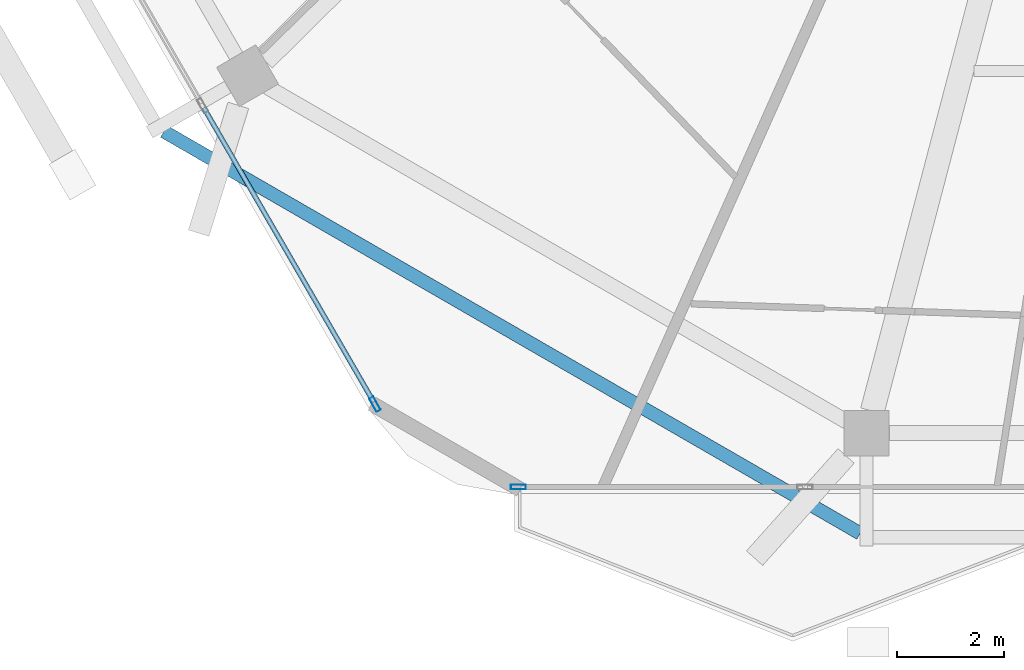
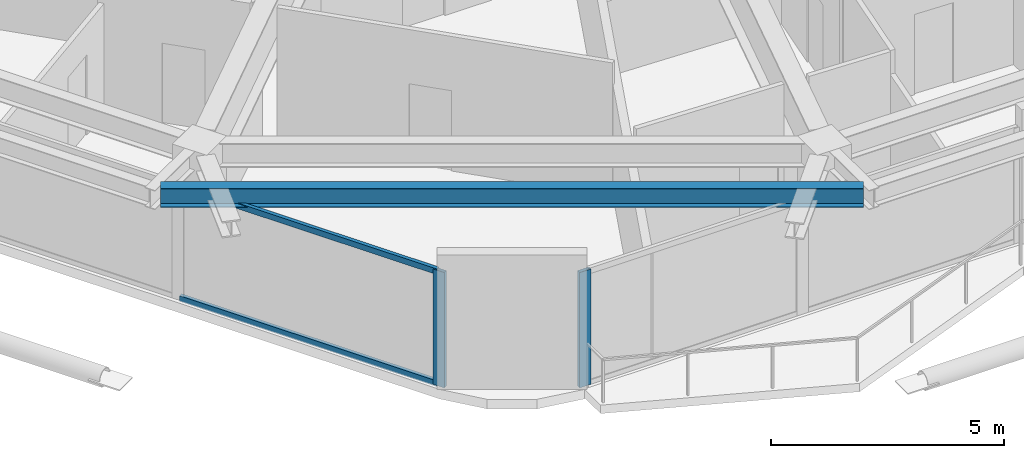
# One storey, part 2 of 26: 4 members, 1 beam, 2 elements without a shape of their own.
"""IFC4 building model written with IfcOpenShell, lengths in metres."""

from ifc_helpers import new_model, si_unit, direction, frame, origin, origin_2d, place, context, subcontext, project, spatial, hollow_rectangle, i_section, extrude, material, material_profile, profile_set, type_object, element, aggregate, save


model = new_model("IFC4")

# Units and contexts
model_context = context("Model", 3, precision=1e-05, world=origin(), true_north=direction((0.0, 1.0)))
body_context = subcontext(model_context, "Body", "Model", "MODEL_VIEW")
ifc_project = project(units=[si_unit("LENGTHUNIT", "METRE"), si_unit("AREAUNIT", "SQUARE_METRE"), si_unit("VOLUMEUNIT", "CUBIC_METRE"), si_unit("PLANEANGLEUNIT", "RADIAN"), si_unit("MASSUNIT", "GRAM", prefix="KILO")], contexts=[model_context])

# Site, building, storey
site_placement = place(None, origin())
site = spatial("IfcSite", under=ifc_project, at=site_placement, CompositionType="ELEMENT")
building_placement = place(site_placement, origin())
building = spatial("IfcBuilding", under=site, at=building_placement, Name="Zuhravey Tower", CompositionType="ELEMENT")
storey_placement = place(building_placement, frame((0.0, 0.0, 299.60009765625)))
storey = spatial("IfcBuildingStorey", under=building, at=storey_placement, Name="L76", CompositionType="ELEMENT", Elevation=299.60009765625)

# Curtain wall, member
ifc_material_1 = material(Name="Thermally broken anodised aluminium", Category="aluminium")
curtain_wall_type = type_object("IfcCurtainWallType", Name="Zone 3-4 High-Rise Curtain Wall CW4", PredefinedType="NOTDEFINED", material=ifc_material_1)
curtain_wall_1_placement = place(storey_placement, origin())
curtain_wall_1 = element("IfcCurtainWall", 1, at=curtain_wall_1_placement, inside=storey, type_object=curtain_wall_type, Name="L76 CW4 CW-L76-F5-2", PredefinedType="NOTDEFINED")
ifc_material_2 = material(Name="Anodised aluminium", Category="aluminium")
ifc_material_profile_1 = material_profile(ifc_material_2, hollow_rectangle(XDim=0.090087890625, YDim=0.284912109375, WallThickness=0.0048828125, at=origin_2d()), Name="ALU-RHS-90x285x5")
ifc_profile_set_1 = profile_set([ifc_material_profile_1], Name="Anodised aluminium")
member_type_1 = type_object("IfcMemberType", Name="Curtain-Wall Mullion 90x180", PredefinedType="MULLION", material=ifc_profile_set_1)
member_1_placement = place(storey_placement, frame((23.0322265625, 6.436279296875, 0.0), z_axis=(0.0, 0.0, 1.0), x_axis=(0.0, -1.0, 0.0)))
member_1 = element("IfcMember", 2, at=member_1_placement, type_object=member_type_1, Name="CW4 mullion 3", PredefinedType="MULLION", context=body_context, shape_type="SweptSolid", body=[
    extrude(hollow_rectangle(XDim=0.090087890625, YDim=0.284912109375, WallThickness=0.0048828125, at=origin_2d()), origin(), (0.0, 0.0, 1.0), 3.02001953125),
])
aggregate(curtain_wall_1, [member_1])

# Curtain wall, members
curtain_wall_2_placement = place(storey_placement, origin())
curtain_wall_2 = element("IfcCurtainWall", 3, at=curtain_wall_2_placement, inside=storey, type_object=curtain_wall_type, Name="L76 CW4 CW-L76-F4-1", PredefinedType="NOTDEFINED")
member_2_placement = place(storey_placement, frame((20.34521484375, 7.98779296875, 0.0), z_axis=(0.0, 0.0, 1.0), x_axis=(-0.866024851021, -0.500000957414, 0.0)))
member_2 = element("IfcMember", 4, at=member_2_placement, type_object=member_type_1, Name="CW4 mullion 1", PredefinedType="MULLION", context=body_context, shape_type="SweptSolid", body=[
    extrude(hollow_rectangle(XDim=0.090087890625, YDim=0.284912109375, WallThickness=0.0048828125, at=origin_2d()), origin(), (0.0, 0.0, 1.0), 3.02001953125),
])
ifc_material_profile_2 = material_profile(ifc_material_2, hollow_rectangle(XDim=0.090087890625, YDim=0.14990234375, WallThickness=0.0048828125, at=origin_2d()), Name="ALU-RHS-90x150x5")
ifc_profile_set_2 = profile_set([ifc_material_profile_2], Name="Anodised aluminium")
member_type_2 = type_object("IfcMemberType", Name="Curtain-Wall Transom 90x150", PredefinedType="USERDEFINED", material=ifc_profile_set_2)
member_3_placement = place(storey_placement, frame((20.322509765625, 8.02685546875, 0.044921875), z_axis=(-0.499980071345, 0.866036909293, 0.0), x_axis=(-0.866036909293, -0.499980071345, 0.0)))
member_3 = element("IfcMember", 5, at=member_3_placement, type_object=member_type_2, Name="CW4 transom 1.1", ObjectType="TRANSOM", PredefinedType="USERDEFINED", context=body_context, shape_type="SweptSolid", body=[
    extrude(hollow_rectangle(XDim=0.090087890625, YDim=0.14990234375, WallThickness=0.0048828125, at=origin_2d()), origin(), (0.0, 0.0, 1.0), 6.371337890625),
])
member_4_placement = place(storey_placement, frame((20.322509765625, 8.02685546875, 2.974853515625), z_axis=(-0.499980071345, 0.866036909293, 0.0), x_axis=(-0.866036909293, -0.499980071345, 0.0)))
member_4 = element("IfcMember", 6, at=member_4_placement, type_object=member_type_2, Name="CW4 transom 1.2", ObjectType="TRANSOM", PredefinedType="USERDEFINED", context=body_context, shape_type="SweptSolid", body=[
    extrude(hollow_rectangle(XDim=0.090087890625, YDim=0.14990234375, WallThickness=0.0048828125, at=origin_2d()), origin(), (0.0, 0.0, 1.0), 6.371337890625),
])
aggregate(curtain_wall_2, [member_2, member_3, member_4])

# Beam
ifc_material_3 = material(Name="Steel SM355", Category="steel")
ifc_material_profile_3 = material_profile(ifc_material_3, i_section(OverallWidth=0.25, OverallDepth=0.5, WebThickness=0.010009765625, FlangeThickness=0.01611328125, at=origin_2d()), Name="H-500x250x10x16")
ifc_profile_set_3 = profile_set([ifc_material_profile_3], Name="Steel SM355")
beam_type = type_object("IfcBeamType", Name="Tray Cantilever Spandrel H500x250", PredefinedType="SPANDREL", material=ifc_profile_set_3)
beam_placement = place(storey_placement, frame((16.388916015625, 13.100341796875, 3.27001953125), z_axis=(0.866019911426, -0.500009512923, 0.0), x_axis=(0.500009512923, 0.866019911426, 0.0)))
element("IfcBeam", 7, at=beam_placement, inside=storey, type_object=beam_type, Name="L76 Sky-Tray Edge Spandrel TSB1-08", PredefinedType="SPANDREL", context=body_context, shape_type="SweptSolid", body=[
    extrude(i_section(OverallWidth=0.25, OverallDepth=0.5, WebThickness=0.010009765625, FlangeThickness=0.01611328125, at=origin_2d()), origin(), (0.0, 0.0, 1.0), 15.067626953125),
])

save(model, "model.ifc")
